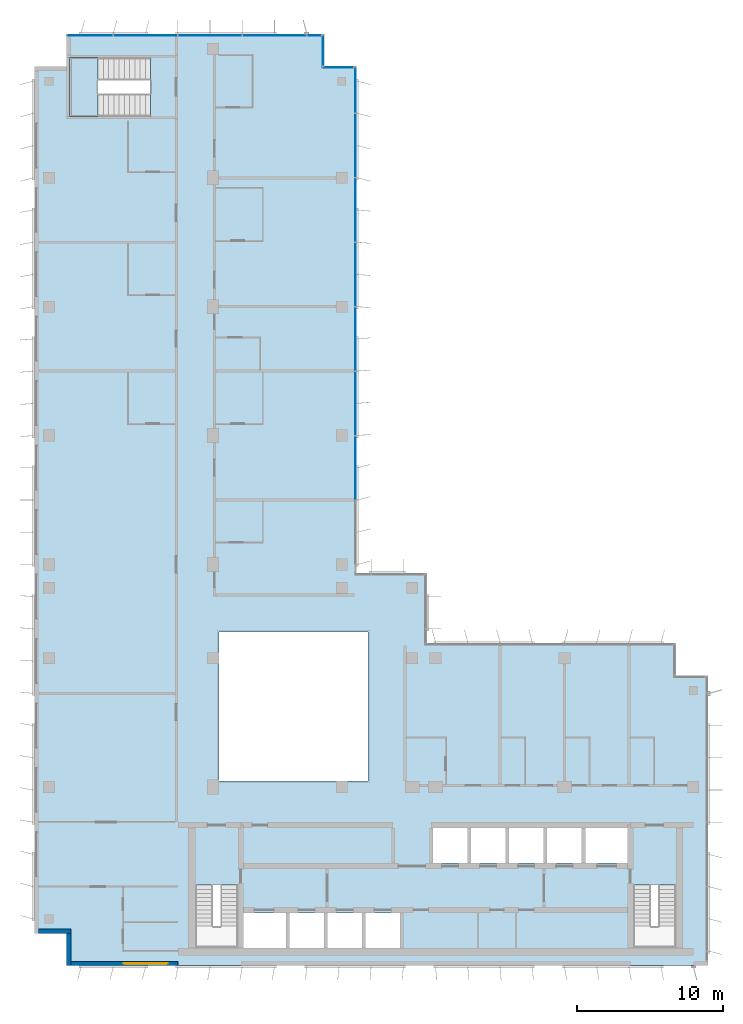
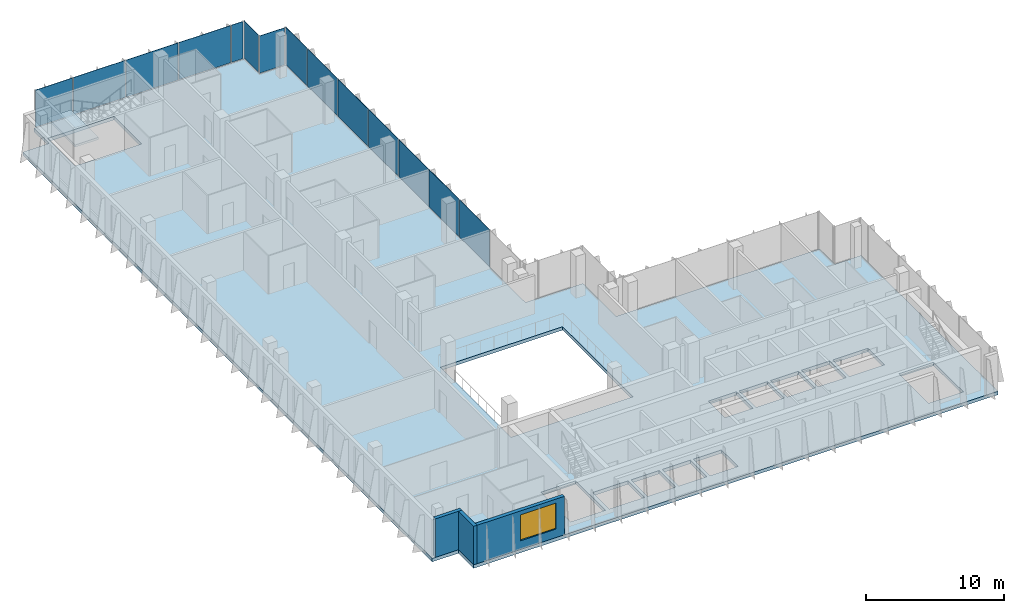
# One storey, part 8 of 15: 14 plates, 3 walls, 2 slabs, 1 window, 1 opening, 5 elements without a shape of their own.
"""IFC4 building model written with IfcOpenShell, lengths in metres."""

from ifc_helpers import new_model, si_unit, direction, frame, frame_2d, origin, origin_2d, place, context, subcontext, project, spatial, polyline, rectangle, outline, extrude, source, transform, mapped, material, layer, layer_set, type_object, element, fill, aggregate, save


model = new_model("IFC4")

# Units and contexts
model_context = context("Model", 3, precision=1e-05, world=origin(), true_north=direction((0.0, 1.0)))
body_context = subcontext(model_context, "Body", "Model", "MODEL_VIEW")
ifc_project = project(units=[si_unit("LENGTHUNIT", "METRE"), si_unit("AREAUNIT", "SQUARE_METRE"), si_unit("VOLUMEUNIT", "CUBIC_METRE"), si_unit("PLANEANGLEUNIT", "RADIAN"), si_unit("MASSUNIT", "GRAM", prefix="KILO")], contexts=[model_context])

# Site, building, storey
site_placement = place(None, origin())
site = spatial("IfcSite", under=ifc_project, at=site_placement, CompositionType="ELEMENT")
building_placement = place(site_placement, origin())
building = spatial("IfcBuilding", under=site, at=building_placement, Name="Kemantara Hotel Tower", CompositionType="ELEMENT")
storey_placement = place(building_placement, frame((0.0, 0.0, 298.10009765625)))
storey = spatial("IfcBuildingStorey", under=building, at=storey_placement, Name="L75", CompositionType="ELEMENT", Elevation=298.10009765625)

# Slab
ifc_material_1 = material(Name="Concrete fc 40 MPa", Category="concrete")
ifc_layer_1 = layer(ifc_material_1, 0.300048828125)
ifc_layer_set_1 = layer_set([ifc_layer_1], Name="Concrete fc 40 MPa")
slab_type_1 = type_object("IfcSlabType", Name="POST-TENSIONED FLAT PLATE 300", PredefinedType="FLOOR", material=ifc_layer_set_1)
slab_1_placement = place(storey_placement, frame((0.0, 0.0, -0.300048828125)))
element("IfcSlab", 1, at=slab_1_placement, inside=storey, type_object=slab_type_1, Name="FLOOR SLAB L75", PredefinedType="FLOOR", context=body_context, shape_type="SweptSolid", body=[
    extrude(outline(polyline([(22.0, 26.800048828125), (22.0, 61.39990234375), (19.800048828125, 61.39990234375), (19.800048828125, 63.60009765625), (2.199951171875, 63.60009765625), (2.199951171875, 61.39990234375), (0.0, 61.39990234375), (0.0, 2.199951171875), (2.199951171875, 2.199951171875), (2.199951171875, 0.0), (46.0, 0.0), (46.0, 19.800048828125), (43.800048828125, 19.800048828125), (43.800048828125, 22.0), (26.800048828125, 22.0), (26.800048828125, 26.800048828125), (22.0, 26.800048828125)]), holes=[polyline([(17.175048828125, 3.60009765625), (17.175048828125, 1.199951171875), (14.22509765625, 1.199951171875), (14.22509765625, 3.60009765625), (17.175048828125, 3.60009765625)]), polyline([(19.77490234375, 1.199951171875), (17.425048828125, 1.199951171875), (17.425048828125, 3.60009765625), (19.77490234375, 3.60009765625), (19.77490234375, 1.199951171875)]), polyline([(22.375, 1.199951171875), (20.02490234375, 1.199951171875), (20.02490234375, 3.60009765625), (22.375, 3.60009765625), (22.375, 1.199951171875)]), polyline([(24.97509765625, 3.60009765625), (24.97509765625, 1.199951171875), (22.625, 1.199951171875), (22.625, 3.60009765625), (24.97509765625, 3.60009765625)]), polyline([(11.0, 1.199951171875), (11.0, 5.49951171875), (13.89990234375, 5.49951171875), (13.89990234375, 1.199951171875), (11.0, 1.199951171875)]), polyline([(22.800048828125, 12.60009765625), (12.60009765625, 12.60009765625), (12.60009765625, 22.800048828125), (22.800048828125, 22.800048828125), (22.800048828125, 12.60009765625)]), polyline([(2.39990234375, 58.0), (2.39990234375, 62.0), (7.949462890625, 62.0), (7.949462890625, 58.0), (2.39990234375, 58.0)]), polyline([(40.89990234375, 1.199951171875), (40.89990234375, 5.49951171875), (43.800048828125, 5.49951171875), (43.800048828125, 1.199951171875), (40.89990234375, 1.199951171875)]), polyline([(29.574951171875, 7.0), (27.22509765625, 7.0), (27.22509765625, 9.39990234375), (29.574951171875, 9.39990234375), (29.574951171875, 7.0)]), polyline([(32.175048828125, 7.0), (29.824951171875, 7.0), (29.824951171875, 9.39990234375), (32.175048828125, 9.39990234375), (32.175048828125, 7.0)]), polyline([(34.77490234375, 7.0), (32.425048828125, 7.0), (32.425048828125, 9.39990234375), (34.77490234375, 9.39990234375), (34.77490234375, 7.0)]), polyline([(37.375, 7.0), (35.02490234375, 7.0), (35.02490234375, 9.39990234375), (37.375, 9.39990234375), (37.375, 7.0)]), polyline([(40.574951171875, 7.0), (37.625, 7.0), (37.625, 9.39990234375), (40.574951171875, 9.39990234375), (40.574951171875, 7.0)])]), origin(), (0.0, 0.0, 1.0), 0.300048828125),
])

# Stair, slab
stair_type = type_object("IfcStairType", Name="Stair 1550 wide 22 risers of 168 x 360 mm", PredefinedType="HALF_TURN_STAIR", material=ifc_material_1)
stair_placement = place(storey_placement, origin())
stair = element("IfcStair", 2, at=stair_placement, inside=storey, type_object=stair_type, Name="L75 Exit stair ST4", PredefinedType="HALF_TURN_STAIR")
ifc_layer_2 = layer(ifc_material_1, 0.199951171875)
ifc_layer_set_2 = layer_set([ifc_layer_2], Name="Concrete fc 40 MPa")
slab_type_2 = type_object("IfcSlabType", Name="Stair landing 200 mm", PredefinedType="LANDING", material=ifc_layer_set_2)
slab_2_placement = place(storey_placement, frame((0.0, 0.0, 1.64990234375)))
slab_2 = element("IfcSlab", 3, at=slab_2_placement, type_object=slab_type_2, Name="ST4 landing 1", PredefinedType="LANDING", context=body_context, shape_type="SweptSolid", body=[
    extrude(outline(polyline([(4.35009765625, 62.0), (2.39990234375, 62.0), (2.39990234375, 58.0), (4.35009765625, 58.0), (4.35009765625, 62.0)])), origin(), (0.0, 0.0, 1.0), 0.199951171875),
])
aggregate(stair, [slab_2])

# Curtain wall, plates
ifc_material_2 = material(Name="Low-E tinted double insulated glass 36 mm", Category="glass")
curtain_wall_type = type_object("IfcCurtainWallType", Name="TOWER CURTAIN WALL, FRONT FACES", PredefinedType="USERDEFINED", material=ifc_material_2)
curtain_wall_1_placement = place(storey_placement, origin())
curtain_wall_1 = element("IfcCurtainWall", 4, at=curtain_wall_1_placement, inside=storey, type_object=curtain_wall_type, Name="CW4 L75 T4-R02-1", ObjectType="TOWER CURTAIN WALL, FRONT FACES", PredefinedType="USERDEFINED")
ifc_layer_3 = layer(ifc_material_2, 0.035888671875)
ifc_layer_set_3 = layer_set([ifc_layer_3], Name="Low-E tinted double insulated glass 36 mm")
plate_type = type_object("IfcPlateType", Name="TOWER CURTAIN WALL, FRONT FACES PANEL", PredefinedType="CURTAIN_PANEL", material=ifc_layer_set_3)
shared_shape_1 = source(origin(), body_context, "Body", "SweptSolid", [
    extrude(rectangle(XDim=4.340087890625, YDim=0.035888671875, at=origin_2d()), origin(), (0.0, 0.0, 1.0), 3.280029296875),
])
plate_1_placement = place(storey_placement, frame((16.39990234375, 63.52490234375, 0.1201171875), z_axis=(0.0, 0.0, 1.0), x_axis=(-1.0, 0.0, 0.0)))
plate_1 = element("IfcPlate", 5, at=plate_1_placement, type_object=plate_type, Name="CW4 glass panel T4-R02-1.2", PredefinedType="CURTAIN_PANEL", context=body_context, shape_type="MappedRepresentation", body=[
    mapped(shared_shape_1, transform((0.0, 0.0, 0.0))),
])
plate_2_placement = place(storey_placement, frame((12.0, 63.52490234375, 0.1201171875), z_axis=(0.0, 0.0, 1.0), x_axis=(-1.0, 0.0, 0.0)))
plate_2 = element("IfcPlate", 6, at=plate_2_placement, type_object=plate_type, Name="CW4 glass panel T4-R02-1.3", PredefinedType="CURTAIN_PANEL", context=body_context, shape_type="MappedRepresentation", body=[
    mapped(shared_shape_1, transform((0.0, 0.0, 0.0))),
])
plate_3_placement = place(storey_placement, frame((7.60009765625, 63.52490234375, 0.1201171875), z_axis=(0.0, 0.0, 1.0), x_axis=(-1.0, 0.0, 0.0)))
plate_3 = element("IfcPlate", 7, at=plate_3_placement, type_object=plate_type, Name="CW4 glass panel T4-R02-1.4", PredefinedType="CURTAIN_PANEL", context=body_context, shape_type="MappedRepresentation", body=[
    mapped(shared_shape_1, transform((0.0, 0.0, 0.0))),
])

curtain_wall_2_placement = place(storey_placement, origin())
curtain_wall_2 = element("IfcCurtainWall", 8, at=curtain_wall_2_placement, inside=storey, type_object=curtain_wall_type, Name="CW4 L75 T4-R15-1", ObjectType="TOWER CURTAIN WALL, FRONT FACES", PredefinedType="USERDEFINED")
plate_4_placement = place(storey_placement, frame((21.925048828125, 34.0, 0.1201171875), z_axis=(0.0, 0.0, 1.0), x_axis=(0.0, 1.0, 0.0)))
plate_4 = element("IfcPlate", 9, at=plate_4_placement, type_object=plate_type, Name="CW4 glass panel T4-R15-1.3", PredefinedType="CURTAIN_PANEL", context=body_context, shape_type="MappedRepresentation", body=[
    mapped(shared_shape_1, transform((0.0, 0.0, 0.0))),
])
plate_5_placement = place(storey_placement, frame((21.925048828125, 38.39990234375, 0.1201171875), z_axis=(0.0, 0.0, 1.0), x_axis=(0.0, 1.0, 0.0)))
plate_5 = element("IfcPlate", 10, at=plate_5_placement, type_object=plate_type, Name="CW4 glass panel T4-R15-1.4", PredefinedType="CURTAIN_PANEL", context=body_context, shape_type="MappedRepresentation", body=[
    mapped(shared_shape_1, transform((0.0, 0.0, 0.0))),
])
plate_6_placement = place(storey_placement, frame((21.925048828125, 42.800048828125, 0.1201171875), z_axis=(0.0, 0.0, 1.0), x_axis=(0.0, 1.0, 0.0)))
plate_6 = element("IfcPlate", 11, at=plate_6_placement, type_object=plate_type, Name="CW4 glass panel T4-R15-1.5", PredefinedType="CURTAIN_PANEL", context=body_context, shape_type="MappedRepresentation", body=[
    mapped(shared_shape_1, transform((0.0, 0.0, 0.0))),
])
plate_7_placement = place(storey_placement, frame((21.925048828125, 47.199951171875, 0.1201171875), z_axis=(0.0, 0.0, 1.0), x_axis=(0.0, 1.0, 0.0)))
plate_7 = element("IfcPlate", 12, at=plate_7_placement, type_object=plate_type, Name="CW4 glass panel T4-R15-1.6", PredefinedType="CURTAIN_PANEL", context=body_context, shape_type="MappedRepresentation", body=[
    mapped(shared_shape_1, transform((0.0, 0.0, 0.0))),
])
plate_8_placement = place(storey_placement, frame((21.925048828125, 51.60009765625, 0.1201171875), z_axis=(0.0, 0.0, 1.0), x_axis=(0.0, 1.0, 0.0)))
plate_8 = element("IfcPlate", 13, at=plate_8_placement, type_object=plate_type, Name="CW4 glass panel T4-R15-1.7", PredefinedType="CURTAIN_PANEL", context=body_context, shape_type="MappedRepresentation", body=[
    mapped(shared_shape_1, transform((0.0, 0.0, 0.0))),
])
plate_9_placement = place(storey_placement, frame((21.925048828125, 56.0, 0.1201171875), z_axis=(0.0, 0.0, 1.0), x_axis=(0.0, 1.0, 0.0)))
plate_9 = element("IfcPlate", 14, at=plate_9_placement, type_object=plate_type, Name="CW4 glass panel T4-R15-1.8", PredefinedType="CURTAIN_PANEL", context=body_context, shape_type="MappedRepresentation", body=[
    mapped(shared_shape_1, transform((0.0, 0.0, 0.0))),
])

# Plate
shared_shape_2 = source(origin(), body_context, "Body", "SweptSolid", [
    extrude(rectangle(XDim=3.110107421875, YDim=0.035888671875, at=origin_2d()), origin(), (0.0, 0.0, 1.0), 3.280029296875),
])
plate_10_placement = place(storey_placement, frame((3.81494140625, 63.52490234375, 0.1201171875), z_axis=(0.0, 0.0, 1.0), x_axis=(-1.0, 0.0, 0.0)))
plate_10 = element("IfcPlate", 15, at=plate_10_placement, type_object=plate_type, Name="CW4 glass panel T4-R02-1.5", PredefinedType="CURTAIN_PANEL", context=body_context, shape_type="MappedRepresentation", body=[
    mapped(shared_shape_2, transform((0.0, 0.0, 0.0))),
])

plate_11_placement = place(storey_placement, frame((21.925048828125, 59.784912109375, 0.1201171875), z_axis=(0.0, 0.0, 1.0), x_axis=(0.0, 1.0, 0.0)))
plate_11 = element("IfcPlate", 16, at=plate_11_placement, type_object=plate_type, Name="CW4 glass panel T4-R15-1.9", PredefinedType="CURTAIN_PANEL", context=body_context, shape_type="MappedRepresentation", body=[
    mapped(shared_shape_2, transform((0.0, 0.0, 0.0))),
])

aggregate(curtain_wall_2, [plate_4, plate_5, plate_6, plate_7, plate_8, plate_9, plate_11])

# Curtain wall, plate
curtain_wall_3_placement = place(storey_placement, origin())
curtain_wall_3 = element("IfcCurtainWall", 17, at=curtain_wall_3_placement, inside=storey, type_object=curtain_wall_type, Name="CW4 L75 T4-R00-1", ObjectType="TOWER CURTAIN WALL, FRONT FACES", PredefinedType="USERDEFINED")
shared_shape_3 = source(origin(), body_context, "Body", "SweptSolid", [
    extrude(rectangle(XDim=2.080078125, YDim=0.035888671875, at=origin_2d()), origin(), (0.0, 0.0, 1.0), 3.280029296875),
])
plate_12_placement = place(storey_placement, frame((20.75, 61.324951171875, 0.1201171875), z_axis=(0.0, 0.0, 1.0), x_axis=(-1.0, 0.0, 0.0)))
plate_12 = element("IfcPlate", 18, at=plate_12_placement, type_object=plate_type, Name="CW4 glass panel T4-R00-1.1", PredefinedType="CURTAIN_PANEL", context=body_context, shape_type="MappedRepresentation", body=[
    mapped(shared_shape_3, transform((0.0, 0.0, 0.0))),
])
aggregate(curtain_wall_3, [plate_12])

curtain_wall_4_placement = place(storey_placement, origin())
curtain_wall_4 = element("IfcCurtainWall", 19, at=curtain_wall_4_placement, inside=storey, type_object=curtain_wall_type, Name="CW4 L75 T4-R01-1", ObjectType="TOWER CURTAIN WALL, FRONT FACES", PredefinedType="USERDEFINED")
plate_13_placement = place(storey_placement, frame((19.72509765625, 62.5, 0.1201171875), z_axis=(0.0, 0.0, 1.0), x_axis=(0.0, 1.0, 0.0)))
plate_13 = element("IfcPlate", 20, at=plate_13_placement, type_object=plate_type, Name="CW4 glass panel T4-R01-1.1", PredefinedType="CURTAIN_PANEL", context=body_context, shape_type="MappedRepresentation", body=[
    mapped(shared_shape_3, transform((0.0, 0.0, 0.0))),
])
aggregate(curtain_wall_4, [plate_13])

# Plate
shared_shape_4 = source(origin(), body_context, "Body", "SweptSolid", [
    extrude(rectangle(XDim=0.9599609375, YDim=0.035888671875, at=origin_2d()), origin(), (0.0, 0.0, 1.0), 3.280029296875),
])
plate_14_placement = place(storey_placement, frame((19.110107421875, 63.52490234375, 0.1201171875), z_axis=(0.0, 0.0, 1.0), x_axis=(-1.0, 0.0, 0.0)))
plate_14 = element("IfcPlate", 21, at=plate_14_placement, type_object=plate_type, Name="CW4 glass panel T4-R02-1.1", PredefinedType="CURTAIN_PANEL", context=body_context, shape_type="MappedRepresentation", body=[
    mapped(shared_shape_4, transform((0.0, 0.0, 0.0))),
])

aggregate(curtain_wall_1, [plate_14, plate_1, plate_2, plate_3, plate_10])

# Walls
ifc_material_3 = material(Name="Bronze anodised aluminium cladding on insulated steel stud wall", Category="steel")
ifc_layer_4 = layer(ifc_material_3, 0.300048828125)
ifc_layer_set_4 = layer_set([ifc_layer_4], Name="Bronze anodised aluminium cladding on insulated steel stud wall")
wall_type = type_object("IfcWallType", Name="BRONZE METAL-CLAD EXTERNAL WALL 300", PredefinedType="STANDARD", material=ifc_layer_set_4)
for number, where, z_axis, x_axis, name in (
    (22, (0.300048828125, 2.35009765625, 0.0), (0.0, 0.0, 1.0), (1.0, 0.0, 0.0), "EXTERNAL WALL L75 T4-R06"),
    (23, (2.35009765625, 2.199951171875, 0.0), (0.0, 0.0, 1.0), (0.0, -1.0, 0.0), "EXTERNAL WALL L75 T4-R07"),
):
    element("IfcWall", number, at=place(storey_placement, frame(where, z_axis=z_axis, x_axis=x_axis)), inside=storey, type_object=wall_type, Name=name, PredefinedType="STANDARD", context=body_context, shape_type="SweptSolid", body=[
        extrude(rectangle(XDim=2.199951171875, YDim=0.300048828125, at=frame_2d((1.10009765625, 0.0))), origin(), (0.0, 0.0, 1.0), 3.39990234375),
    ])

# Wall, opening, window
wall_placement = place(storey_placement, frame((2.5, 0.14990234375, 0.0), z_axis=(0.0, 0.0, 1.0), x_axis=(1.0, 0.0, 0.0)))
wall = element("IfcWall", 24, at=wall_placement, inside=storey, type_object=wall_type, Name="EXTERNAL WALL L75 T4-R08", PredefinedType="STANDARD", context=body_context, shape_type="SweptSolid", body=[
    extrude(rectangle(XDim=7.300048828125, YDim=0.300048828125, at=frame_2d((3.64990234375, 0.0))), origin(), (0.0, 0.0, 1.0), 3.39990234375),
])
opening_placement = place(wall_placement, frame((3.60009765625, 0.0, 0.75)))
opening = element("IfcOpeningElement", 25, at=opening_placement, cuts=wall, Name="Opening W1", PredefinedType="OPENING", context=body_context, shape_type="SweptSolid", body=[
    extrude(rectangle(XDim=3.0, YDim=2.300048828125, at=frame_2d((1.5, 1.14990234375))), frame((0.0, 0.159912109375, 0.0), z_axis=(0.0, -1.0, 0.0), x_axis=(1.0, 0.0, 0.0)), (0.0, 0.0, 1.0), 0.320068359375),
])
ifc_material_4 = material(Name="Low-E tinted double insulated glass in bronze anodised aluminium frame", Category="aluminium")
window_type = type_object("IfcWindowType", Name="CHICAGO WINDOW, TRIPLE PANEL 3000x2300", PartitioningType="TRIPLE_PANEL_VERTICAL", PredefinedType="WINDOW", material=ifc_material_4)
window_placement = place(opening_placement, origin())
window = element("IfcWindow", 26, at=window_placement, inside=storey, type_object=window_type, Name="CHICAGO WINDOW L75 T4-R08-54", OverallHeight=2.300048828125, OverallWidth=3.0, PartitioningType="SINGLE_PANEL", PredefinedType="WINDOW", context=body_context, shape_type="SweptSolid", body=[
    extrude(rectangle(XDim=3.0, YDim=2.300048828125, at=frame_2d((1.5, 1.14990234375))), frame((0.0, 0.030029296875, 0.0), z_axis=(0.0, -1.0, 0.0), x_axis=(1.0, 0.0, 0.0)), (0.0, 0.0, 1.0), 0.06005859375),
])
fill(opening, window)

save(model, "model.ifc")
